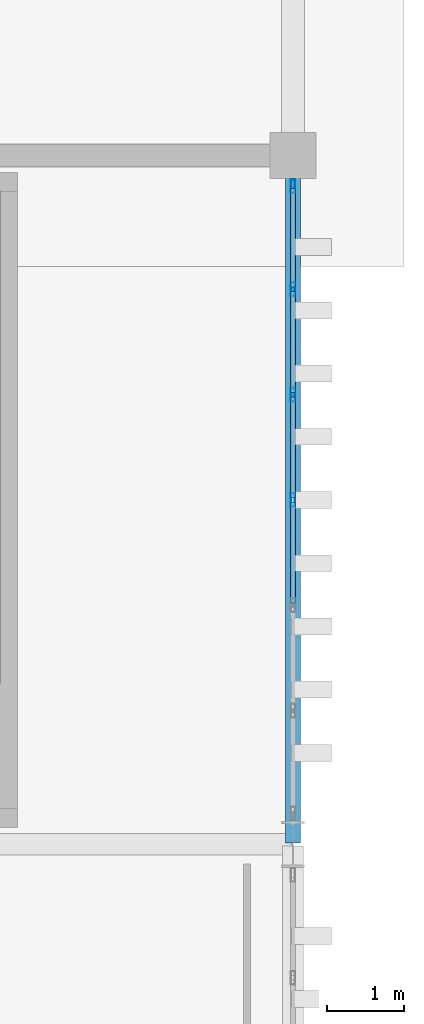
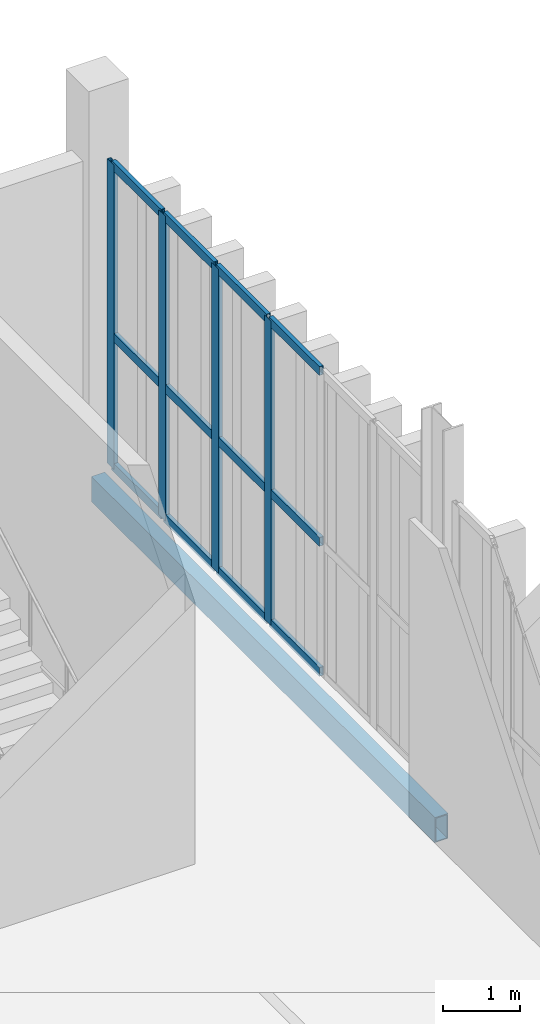
# One storey, part 164 of 237: 16 members, 1 beam, 1 element without a shape of its own.
"""IFC4 building model written with IfcOpenShell, lengths in metres."""

from ifc_helpers import new_model, si_unit, direction, frame, origin, origin_2d, place, context, subcontext, project, spatial, hollow_rectangle, extrude, material, layer, layer_set, material_profile, profile_set, type_object, element, aggregate, save


model = new_model("IFC4")

# Units and contexts
model_context = context("Model", 3, precision=1e-05, world=origin(), true_north=direction((0.0, 1.0)))
body_context = subcontext(model_context, "Body", "Model", "MODEL_VIEW")
ifc_project = project(units=[si_unit("LENGTHUNIT", "METRE"), si_unit("AREAUNIT", "SQUARE_METRE"), si_unit("VOLUMEUNIT", "CUBIC_METRE"), si_unit("PLANEANGLEUNIT", "RADIAN"), si_unit("MASSUNIT", "GRAM", prefix="KILO")], contexts=[model_context])

# Site, building, storey
site_placement = place(None, origin())
site = spatial("IfcSite", under=ifc_project, at=site_placement, CompositionType="ELEMENT")
building_placement = place(site_placement, origin())
building = spatial("IfcBuilding", under=site, at=building_placement, Name="Barlavento Convention Centre", CompositionType="ELEMENT")
storey_placement = place(building_placement, frame((0.0, 0.0, 12.0)))
storey = spatial("IfcBuildingStorey", under=building, at=storey_placement, Name="L02", CompositionType="ELEMENT", Elevation=12.0)

# Curtain wall, members
ifc_material_1 = material(Name="Powder-coated aluminium and Low-E glass", Category="aluminium")
ifc_layer = layer(ifc_material_1, 0.195068359375)
ifc_layer_set = layer_set([ifc_layer], Name="ARC-CW-BALL-L02")
curtain_wall_type = type_object("IfcCurtainWallType", Name="ARC-CW-BALL-L02", PredefinedType="NOTDEFINED", material=ifc_layer_set)
curtain_wall_placement = place(storey_placement, origin())
curtain_wall = element("IfcCurtainWall", 1, at=curtain_wall_placement, inside=storey, type_object=curtain_wall_type, Name="L02 unitised curtain wall CW07", PredefinedType="NOTDEFINED")
ifc_material_2 = material(Name="Powder-coated aluminium", Category="aluminium")
ifc_material_profile_1 = material_profile(ifc_material_2, hollow_rectangle(XDim=0.06005859375, YDim=0.179931640625, WallThickness=0.0048828125, at=origin_2d()), Name="AL-MULL 60x180x5")
ifc_profile_set_1 = profile_set([ifc_material_profile_1], Name="Powder-coated aluminium")
member_type_1 = type_object("IfcMemberType", Name="ARC-CWM-60X180", PredefinedType="MULLION", material=ifc_profile_set_1)
member_1_placement = place(storey_placement, frame((192.0, 94.5, 0.0), z_axis=(0.0, 0.0, 1.0), x_axis=(-1.0, 0.0, 0.0)))
member_1 = element("IfcMember", 2, at=member_1_placement, type_object=member_type_1, Name="CW07 mullion 4", PredefinedType="MULLION", context=body_context, shape_type="SweptSolid", body=[
    extrude(hollow_rectangle(XDim=0.06005859375, YDim=0.179931640625, WallThickness=0.0048828125, at=origin_2d()), origin(), (0.0, 0.0, 1.0), 4.85009765625),
])
member_2_placement = place(storey_placement, frame((192.0, 95.876708984375, 0.0), z_axis=(0.0, 0.0, 1.0), x_axis=(-1.0, 0.0, 0.0)))
member_2 = element("IfcMember", 3, at=member_2_placement, type_object=member_type_1, Name="CW07 mullion 5", PredefinedType="MULLION", context=body_context, shape_type="SweptSolid", body=[
    extrude(hollow_rectangle(XDim=0.06005859375, YDim=0.179931640625, WallThickness=0.0048828125, at=origin_2d()), origin(), (0.0, 0.0, 1.0), 4.85009765625),
])
member_3_placement = place(storey_placement, frame((192.0, 97.25341796875, 0.0), z_axis=(0.0, 0.0, 1.0), x_axis=(-1.0, 0.0, 0.0)))
member_3 = element("IfcMember", 4, at=member_3_placement, type_object=member_type_1, Name="CW07 mullion 6", PredefinedType="MULLION", context=body_context, shape_type="SweptSolid", body=[
    extrude(hollow_rectangle(XDim=0.06005859375, YDim=0.179931640625, WallThickness=0.0048828125, at=origin_2d()), origin(), (0.0, 0.0, 1.0), 4.85009765625),
])
member_4_placement = place(storey_placement, frame((192.0, 98.60009765625, 0.0), z_axis=(0.0, 0.0, 1.0), x_axis=(-1.0, 0.0, 0.0)))
member_4 = element("IfcMember", 5, at=member_4_placement, type_object=member_type_1, Name="CW07 mullion 7", PredefinedType="MULLION", context=body_context, shape_type="SweptSolid", body=[
    extrude(hollow_rectangle(XDim=0.06005859375, YDim=0.179931640625, WallThickness=0.0048828125, at=origin_2d()), origin(), (0.0, 0.0, 1.0), 4.85009765625),
])
ifc_material_profile_2 = material_profile(ifc_material_2, hollow_rectangle(XDim=0.06005859375, YDim=0.139892578125, WallThickness=0.00390625, at=origin_2d()), Name="AL-TRAN 60x140x4")
ifc_profile_set_2 = profile_set([ifc_material_profile_2], Name="Powder-coated aluminium")
member_type_2 = type_object("IfcMemberType", Name="ARC-CWT-60X140", PredefinedType="USERDEFINED", material=ifc_profile_set_2)
member_5_placement = place(storey_placement, frame((192.0, 93.1533203125, 0.030029296875), z_axis=(0.0, 1.0, 0.0), x_axis=(-1.0, 0.0, 0.0)))
member_5 = element("IfcMember", 6, at=member_5_placement, type_object=member_type_2, Name="CW07 transom 3.1", ObjectType="TRANSOM", PredefinedType="USERDEFINED", context=body_context, shape_type="SweptSolid", body=[
    extrude(hollow_rectangle(XDim=0.06005859375, YDim=0.139892578125, WallThickness=0.00390625, at=origin_2d()), origin(), (0.0, 0.0, 1.0), 1.316650390625),
])
member_6_placement = place(storey_placement, frame((192.0, 93.1533203125, 2.10009765625), z_axis=(0.0, 1.0, 0.0), x_axis=(-1.0, 0.0, 0.0)))
member_6 = element("IfcMember", 7, at=member_6_placement, type_object=member_type_2, Name="CW07 transom 3.2", ObjectType="TRANSOM", PredefinedType="USERDEFINED", context=body_context, shape_type="SweptSolid", body=[
    extrude(hollow_rectangle(XDim=0.06005859375, YDim=0.139892578125, WallThickness=0.00390625, at=origin_2d()), origin(), (0.0, 0.0, 1.0), 1.316650390625),
])
member_7_placement = place(storey_placement, frame((192.0, 93.1533203125, 4.820068359375), z_axis=(0.0, 1.0, 0.0), x_axis=(-1.0, 0.0, 0.0)))
member_7 = element("IfcMember", 8, at=member_7_placement, type_object=member_type_2, Name="CW07 transom 3.3", ObjectType="TRANSOM", PredefinedType="USERDEFINED", context=body_context, shape_type="SweptSolid", body=[
    extrude(hollow_rectangle(XDim=0.06005859375, YDim=0.139892578125, WallThickness=0.00390625, at=origin_2d()), origin(), (0.0, 0.0, 1.0), 1.316650390625),
])
member_8_placement = place(storey_placement, frame((192.0, 94.530029296875, 0.030029296875), z_axis=(0.0, 1.0, 0.0), x_axis=(-1.0, 0.0, 0.0)))
member_8 = element("IfcMember", 9, at=member_8_placement, type_object=member_type_2, Name="CW07 transom 4.1", ObjectType="TRANSOM", PredefinedType="USERDEFINED", context=body_context, shape_type="SweptSolid", body=[
    extrude(hollow_rectangle(XDim=0.06005859375, YDim=0.139892578125, WallThickness=0.00390625, at=origin_2d()), origin(), (0.0, 0.0, 1.0), 1.316650390625),
])
member_9_placement = place(storey_placement, frame((192.0, 94.530029296875, 2.10009765625), z_axis=(0.0, 1.0, 0.0), x_axis=(-1.0, 0.0, 0.0)))
member_9 = element("IfcMember", 10, at=member_9_placement, type_object=member_type_2, Name="CW07 transom 4.2", ObjectType="TRANSOM", PredefinedType="USERDEFINED", context=body_context, shape_type="SweptSolid", body=[
    extrude(hollow_rectangle(XDim=0.06005859375, YDim=0.139892578125, WallThickness=0.00390625, at=origin_2d()), origin(), (0.0, 0.0, 1.0), 1.316650390625),
])
member_10_placement = place(storey_placement, frame((192.0, 94.530029296875, 4.820068359375), z_axis=(0.0, 1.0, 0.0), x_axis=(-1.0, 0.0, 0.0)))
member_10 = element("IfcMember", 11, at=member_10_placement, type_object=member_type_2, Name="CW07 transom 4.3", ObjectType="TRANSOM", PredefinedType="USERDEFINED", context=body_context, shape_type="SweptSolid", body=[
    extrude(hollow_rectangle(XDim=0.06005859375, YDim=0.139892578125, WallThickness=0.00390625, at=origin_2d()), origin(), (0.0, 0.0, 1.0), 1.316650390625),
])
member_11_placement = place(storey_placement, frame((192.0, 95.90673828125, 0.030029296875), z_axis=(0.0, 1.0, 0.0), x_axis=(-1.0, 0.0, 0.0)))
member_11 = element("IfcMember", 12, at=member_11_placement, type_object=member_type_2, Name="CW07 transom 5.1", ObjectType="TRANSOM", PredefinedType="USERDEFINED", context=body_context, shape_type="SweptSolid", body=[
    extrude(hollow_rectangle(XDim=0.06005859375, YDim=0.139892578125, WallThickness=0.00390625, at=origin_2d()), origin(), (0.0, 0.0, 1.0), 1.316650390625),
])
member_12_placement = place(storey_placement, frame((192.0, 95.90673828125, 2.10009765625), z_axis=(0.0, 1.0, 0.0), x_axis=(-1.0, 0.0, 0.0)))
member_12 = element("IfcMember", 13, at=member_12_placement, type_object=member_type_2, Name="CW07 transom 5.2", ObjectType="TRANSOM", PredefinedType="USERDEFINED", context=body_context, shape_type="SweptSolid", body=[
    extrude(hollow_rectangle(XDim=0.06005859375, YDim=0.139892578125, WallThickness=0.00390625, at=origin_2d()), origin(), (0.0, 0.0, 1.0), 1.316650390625),
])
member_13_placement = place(storey_placement, frame((192.0, 95.90673828125, 4.820068359375), z_axis=(0.0, 1.0, 0.0), x_axis=(-1.0, 0.0, 0.0)))
member_13 = element("IfcMember", 14, at=member_13_placement, type_object=member_type_2, Name="CW07 transom 5.3", ObjectType="TRANSOM", PredefinedType="USERDEFINED", context=body_context, shape_type="SweptSolid", body=[
    extrude(hollow_rectangle(XDim=0.06005859375, YDim=0.139892578125, WallThickness=0.00390625, at=origin_2d()), origin(), (0.0, 0.0, 1.0), 1.316650390625),
])
member_14_placement = place(storey_placement, frame((192.0, 97.283447265625, 0.030029296875), z_axis=(0.0, 1.0, 0.0), x_axis=(-1.0, 0.0, 0.0)))
member_14 = element("IfcMember", 15, at=member_14_placement, type_object=member_type_2, Name="CW07 transom 6.1", ObjectType="TRANSOM", PredefinedType="USERDEFINED", context=body_context, shape_type="SweptSolid", body=[
    extrude(hollow_rectangle(XDim=0.06005859375, YDim=0.139892578125, WallThickness=0.00390625, at=origin_2d()), origin(), (0.0, 0.0, 1.0), 1.28662109375),
])
member_15_placement = place(storey_placement, frame((192.0, 97.283447265625, 2.10009765625), z_axis=(0.0, 1.0, 0.0), x_axis=(-1.0, 0.0, 0.0)))
member_15 = element("IfcMember", 16, at=member_15_placement, type_object=member_type_2, Name="CW07 transom 6.2", ObjectType="TRANSOM", PredefinedType="USERDEFINED", context=body_context, shape_type="SweptSolid", body=[
    extrude(hollow_rectangle(XDim=0.06005859375, YDim=0.139892578125, WallThickness=0.00390625, at=origin_2d()), origin(), (0.0, 0.0, 1.0), 1.28662109375),
])
member_16_placement = place(storey_placement, frame((192.0, 97.283447265625, 4.820068359375), z_axis=(0.0, 1.0, 0.0), x_axis=(-1.0, 0.0, 0.0)))
member_16 = element("IfcMember", 17, at=member_16_placement, type_object=member_type_2, Name="CW07 transom 6.3", ObjectType="TRANSOM", PredefinedType="USERDEFINED", context=body_context, shape_type="SweptSolid", body=[
    extrude(hollow_rectangle(XDim=0.06005859375, YDim=0.139892578125, WallThickness=0.00390625, at=origin_2d()), origin(), (0.0, 0.0, 1.0), 1.28662109375),
])
aggregate(curtain_wall, [member_1, member_2, member_3, member_4, member_5, member_6, member_7, member_8, member_9, member_10, member_11, member_12, member_13, member_14, member_15, member_16])

# Beam
ifc_material_3 = material(Name="Steel S355", Category="steel")
ifc_material_profile_3 = material_profile(ifc_material_3, hollow_rectangle(XDim=0.199951171875, YDim=0.39990234375, WallThickness=0.01611328125, at=origin_2d()), Name="RHS 400x200x16.0")
ifc_profile_set_3 = profile_set([ifc_material_profile_3], Name="Steel S355")
beam_type = type_object("IfcBeamType", Name="STR-BM-SPN-RHS400", PredefinedType="SPANDREL", material=ifc_profile_set_3)
beam_placement = place(storey_placement, frame((192.0, 90.02001953125, -0.56494140625), z_axis=(0.0, 1.0, 0.0), x_axis=(-1.0, 0.0, 0.0)))
element("IfcBeam", 18, at=beam_placement, inside=storey, type_object=beam_type, Name="L02 grid girder SP06", PredefinedType="SPANDREL", context=body_context, shape_type="SweptSolid", body=[
    extrude(hollow_rectangle(XDim=0.199951171875, YDim=0.39990234375, WallThickness=0.01611328125, at=origin_2d()), origin(), (0.0, 0.0, 1.0), 8.9599609375),
])

save(model, "model.ifc")
